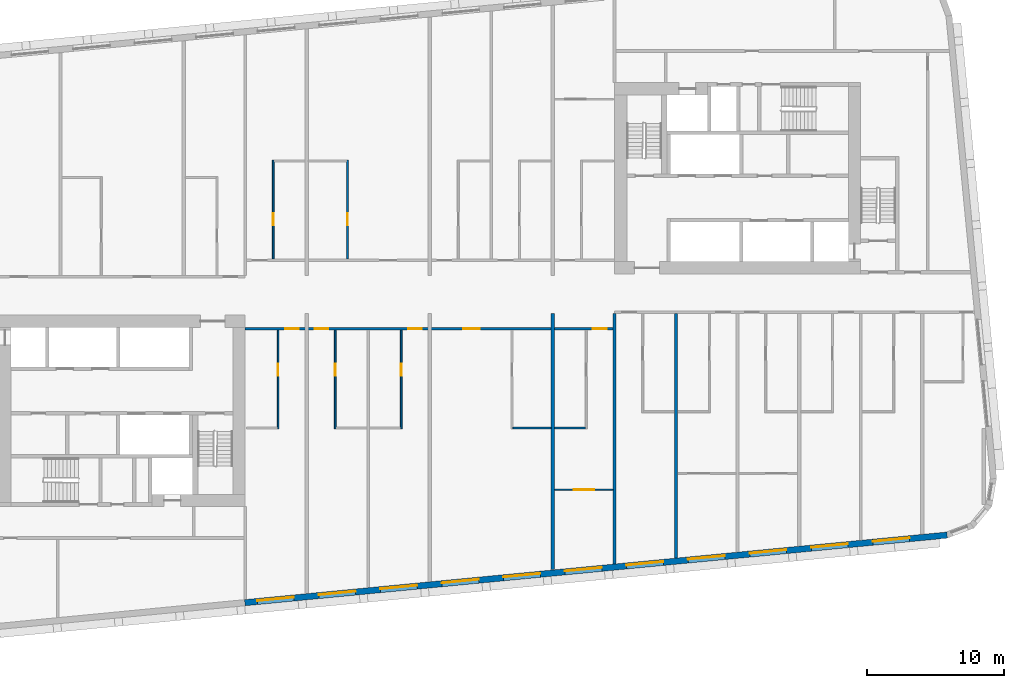
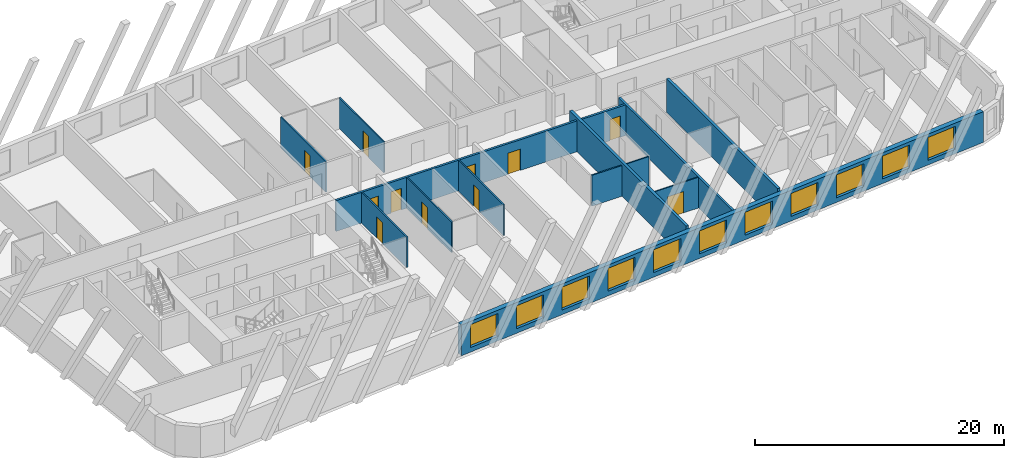
# One storey, part 4 of 13: 13 walls, 11 doors, 11 windows, 22 openings.
"""IFC4 building model written with IfcOpenShell, lengths in metres."""

import ifcopenshell
import ifcopenshell.guid

model = None  # the IFC model being written
_history = None  # IfcOwnerHistory: only IFC2X3 demands one
_inside = {}  # id of a spatial element -> (the spatial element, [elements in it])
_under = {}  # id of a project, library or spatial element -> (it, [spatial elements below it])
_declared = {}  # id of a project -> (the project, [libraries it declares])
_typed = {}  # id of a type object -> (the type object, [elements of that type])
_made_of = {}  # id of a material, layer set ... -> (it, [elements and type objects made of it])


def new_model(schema):
    """Start an empty IFC model of exactly this schema.

    Asked for "IFC4X3", IfcOpenShell would pick the latest addendum, in which some entities
    have other attributes; the version numbers below select the first issue.
    IFC2X3 requires an IfcOwnerHistory on every rooted entity: one is made here for all.
    """
    global model, _history
    if schema == "IFC4X3":
        model = ifcopenshell.file(schema_version=(4, 3, 0, 0))
    else:
        model = ifcopenshell.file(schema=schema)
    _inside.clear()
    _under.clear()
    _declared.clear()
    _typed.clear()
    _made_of.clear()
    _history = None
    if model.schema == "IFC2X3":
        org = make("IfcOrganization", Name="unknown")
        user = make(
            "IfcPersonAndOrganization",
            ThePerson=make("IfcPerson", FamilyName="unknown"),
            TheOrganization=org,
        )
        app = make(
            "IfcApplication",
            ApplicationDeveloper=org,
            Version="unknown",
            ApplicationFullName="unknown",
            ApplicationIdentifier="unknown",
        )
        _history = make(
            "IfcOwnerHistory",
            OwningUser=user,
            OwningApplication=app,
            ChangeAction="ADDED",
            CreationDate=0,
        )
    return model


def make(cls, **values):
    """One entity of the class cls with the attributes given. An attribute that is None is left unset."""
    return model.create_entity(
        cls, **{name: value for name, value in values.items() if value is not None}
    )


def rooted(cls, **values):
    """An entity with a GlobalId (a new one), such as an element, a storey or a relation."""
    return make(cls, GlobalId=ifcopenshell.guid.new(), OwnerHistory=_history, **values)


def si_unit(unit_type, name, prefix=None):
    """IfcSIUnit, for example si_unit("LENGTHUNIT", "METRE", prefix="MILLI")."""
    return make("IfcSIUnit", UnitType=unit_type, Prefix=prefix, Name=name)


def assignment(units):
    """IfcUnitAssignment: the units of a project."""
    return None if units is None else make("IfcUnitAssignment", Units=units)


def point(xyz):
    """IfcCartesianPoint."""
    return None if xyz is None else make("IfcCartesianPoint", Coordinates=xyz)


def direction(xyz):
    """IfcDirection."""
    return None if xyz is None else make("IfcDirection", DirectionRatios=xyz)


def frame(location, z_axis=None, x_axis=None):
    """IfcAxis2Placement3D, a coordinate frame: its origin and axes. An axis left out is left unset."""
    return make(
        "IfcAxis2Placement3D",
        Location=point(location),
        Axis=direction(z_axis),
        RefDirection=direction(x_axis),
    )


def frame_2d(location, x_axis=None):
    """IfcAxis2Placement2D, a coordinate frame in the plane: its origin and x axis."""
    return make(
        "IfcAxis2Placement2D", Location=point(location), RefDirection=direction(x_axis)
    )


def origin():
    """The frame at (0, 0, 0) with its axes left unset."""
    return frame((0.0, 0.0, 0.0))


def place(relative_to, where):
    """IfcLocalPlacement: puts the frame where relative to a parent placement (None: the world)."""
    return make(
        "IfcLocalPlacement", PlacementRelTo=relative_to, RelativePlacement=where
    )


def context(
    kind, dimensions, precision=None, world=None, true_north=None, identifier=None
):
    """IfcGeometricRepresentationContext, for example the 3D "Model" context."""
    return make(
        "IfcGeometricRepresentationContext",
        ContextIdentifier=identifier,
        ContextType=kind,
        CoordinateSpaceDimension=dimensions,
        Precision=precision,
        WorldCoordinateSystem=world,
        TrueNorth=true_north,
    )


def subcontext(parent, identifier, kind, view, scale=None):
    """IfcGeometricRepresentationSubContext, for example "Body" below "Model"."""
    return make(
        "IfcGeometricRepresentationSubContext",
        ContextIdentifier=identifier,
        ContextType=kind,
        ParentContext=parent,
        TargetScale=scale,
        TargetView=view,
    )


def project(units=None, contexts=None):
    """IfcProject with its units and contexts."""
    return rooted(
        "IfcProject",
        Name="project",
        RepresentationContexts=contexts,
        UnitsInContext=assignment(units),
    )


def spatial(cls, under=None, at=None, **own):
    """A site, building, storey or space (cls), placed at a placement, below another one or the project."""
    s = rooted(cls, ObjectPlacement=at, **own)
    if under is not None:
        _under.setdefault(under.id(), (under, []))[1].append(s)
    return s


def profile(cls, at=None, kind="AREA", **sizes):
    """A parametric profile (cls). Its sizes go by their IFC names, for example OverallWidth=200.0."""
    return make(cls, ProfileType=kind, Position=at, **sizes)


def rectangle(**sizes):
    """IfcRectangleProfileDef."""
    return profile("IfcRectangleProfileDef", **sizes)


def extrude(swept, where, along, depth):
    """IfcExtrudedAreaSolid: the profile swept, set in the frame where, extruded along a direction by depth."""
    return make(
        "IfcExtrudedAreaSolid",
        SweptArea=swept,
        Position=where,
        ExtrudedDirection=direction(along),
        Depth=depth,
    )


def shape(context_of_items, identifier, shape_type, items):
    """IfcShapeRepresentation: the items that make up one representation, for example the "Body"."""
    return make(
        "IfcShapeRepresentation",
        ContextOfItems=context_of_items,
        RepresentationIdentifier=identifier,
        RepresentationType=shape_type,
        Items=items,
    )


def material(Name=None, Category=None):
    """IfcMaterial."""
    return make("IfcMaterial", Name=Name, Category=Category)


def layer(
    of_material, thickness, ventilated=None, Name=None, Category=None, Priority=None
):
    """IfcMaterialLayer: one layer of a wall or slab, of a material (None: an air gap)."""
    return make(
        "IfcMaterialLayer",
        Material=of_material,
        LayerThickness=thickness,
        IsVentilated=ventilated,
        Name=Name,
        Category=Category,
        Priority=Priority,
    )


def layer_set(layers, Name=None):
    """IfcMaterialLayerSet."""
    return make("IfcMaterialLayerSet", MaterialLayers=layers, LayerSetName=Name)


def made_of(thing, what):
    """Note that an element or type object is made of a material, layer set ...; save() writes the relation."""
    if what is not None:
        _made_of.setdefault(what.id(), (what, []))[1].append(thing)
    return thing


def type_object(cls, material=None, **own):
    """A type object (cls), such as IfcWallType, which elements share."""
    return made_of(rooted(cls, **own), material)


def element(
    cls,
    number,
    at=None,
    inside=None,
    cuts=None,
    type_object=None,
    material=None,
    context=None,
    identifier="Body",
    shape_type=None,
    held_by="IfcProductDefinitionShape",
    body=None,
    shapes=None,
    **own,
):
    """One element of the class cls, such as IfcWall. Its Tag is "e" and its number.

    at: its placement. inside: the storey or other place that contains it. cuts: it is an
    opening in that element (IfcRelVoidsElement). A single representation is given by context,
    identifier, shape_type and body (its items); several are given by shapes. held_by: the class
    of the entity that holds the representations. save() writes the other relations.
    """
    e = rooted(cls, Tag="e%d" % number, ObjectPlacement=at, **own)
    if body is not None:
        shapes = [shape(context, identifier, shape_type, body)]
    if shapes is not None:
        e.Representation = make(held_by, Representations=shapes)
    if inside is not None:
        _inside.setdefault(inside.id(), (inside, []))[1].append(e)
    if cuts is not None:
        rooted(
            "IfcRelVoidsElement", RelatingBuildingElement=cuts, RelatedOpeningElement=e
        )
    if type_object is not None:
        _typed.setdefault(type_object.id(), (type_object, []))[1].append(e)
    return made_of(e, material)


def fill(opening, filler):
    """IfcRelFillsElement: the door or window that sits in an opening."""
    return rooted(
        "IfcRelFillsElement",
        RelatingOpeningElement=opening,
        RelatedBuildingElement=filler,
    )


def aggregate(whole, parts):
    """IfcRelAggregates: a whole, such as a stair, and the parts it consists of."""
    return rooted("IfcRelAggregates", RelatingObject=whole, RelatedObjects=parts)


def save(model, path):
    """Write the relations noted so far, then the file.

    IfcRelAggregates (storeys below a building ...), IfcRelContainedInSpatialStructure (elements
    in a storey), IfcRelDefinesByType, IfcRelAssociatesMaterial and IfcRelDeclares: one each for
    every whole, place, type object, material and project.
    """
    for whole, parts in _under.values():
        aggregate(whole, parts)
    for where, things in _inside.values():
        rooted(
            "IfcRelContainedInSpatialStructure",
            RelatedElements=things,
            RelatingStructure=where,
        )
    for kind, things in _typed.values():
        rooted("IfcRelDefinesByType", RelatedObjects=things, RelatingType=kind)
    for what, things in _made_of.values():
        rooted("IfcRelAssociatesMaterial", RelatedObjects=things, RelatingMaterial=what)
    for by, libraries in _declared.values():
        rooted("IfcRelDeclares", RelatingContext=by, RelatedDefinitions=libraries)
    model.write(path)


model = new_model("IFC4")

# Units and contexts
model_context = context("Model", 3, precision=1e-05, world=origin(), true_north=direction((0.0, 1.0)))
body_context = subcontext(model_context, "Body", "Model", "MODEL_VIEW")
ifc_project = project(units=[si_unit("LENGTHUNIT", "METRE"), si_unit("AREAUNIT", "SQUARE_METRE"), si_unit("VOLUMEUNIT", "CUBIC_METRE"), si_unit("PLANEANGLEUNIT", "RADIAN"), si_unit("MASSUNIT", "GRAM", prefix="KILO")], contexts=[model_context])

# Site, building, storey
site_placement = place(None, origin())
site = spatial("IfcSite", under=ifc_project, at=site_placement, CompositionType="ELEMENT")
building_placement = place(site_placement, origin())
building = spatial("IfcBuilding", under=site, at=building_placement, Name="Kajstack Hotel Tower", CompositionType="ELEMENT")
storey_placement = place(building_placement, frame((0.0, 0.0, 196.60009765625)))
storey = spatial("IfcBuildingStorey", under=building, at=storey_placement, Name="L47", CompositionType="ELEMENT", Elevation=196.60009765625)

# Wall, openings, doors
ifc_material_1 = material(Name="Gypsum board on steel studs, mineral wool", Category="steel")
ifc_layer_1 = layer(ifc_material_1, 0.199951171875)
ifc_layer_set_1 = layer_set([ifc_layer_1], Name="Corridor wall 200")
wall_type_1 = type_object("IfcWallType", Name="Corridor wall 200", PredefinedType="PARTITIONING", material=ifc_layer_set_1)
wall_1_placement = place(storey_placement, frame((-13.5, -2.5, 0.0), z_axis=(0.0, 0.0, 1.0), x_axis=(1.0, 0.0, 0.0)))
wall_1 = element("IfcWall", 1, at=wall_1_placement, inside=storey, type_object=wall_type_1, Name="G-wall-L47-026", PredefinedType="PARTITIONING", context=body_context, shape_type="SweptSolid", body=[
    extrude(rectangle(XDim=27.0, YDim=0.199951171875, at=frame_2d((13.5, 0.0))), origin(), (0.0, 0.0, 1.0), 3.02001953125),
])
opening_1_placement = place(wall_1_placement, frame((2.925048828125, 0.0, 0.0)))
opening_1 = element("IfcOpeningElement", 2, at=opening_1_placement, cuts=wall_1, Name="Opening 47020", PredefinedType="OPENING", context=body_context, shape_type="SweptSolid", body=[
    extrude(rectangle(XDim=1.0, YDim=2.10009765625, at=frame_2d((0.5, 1.050048828125))), frame((0.0, 0.10986328125, 0.0), z_axis=(0.0, -1.0, 0.0), x_axis=(1.0, 0.0, 0.0)), (0.0, 0.0, 1.0), 0.219970703125),
])
opening_2_placement = place(wall_1_placement, frame((5.074951171875, 0.0, 0.0)))
opening_2 = element("IfcOpeningElement", 3, at=opening_2_placement, cuts=wall_1, Name="Opening 47022", PredefinedType="OPENING", context=body_context, shape_type="SweptSolid", body=[
    extrude(rectangle(XDim=1.0, YDim=2.10009765625, at=frame_2d((0.5, 1.050048828125))), frame((0.0, 0.10986328125, 0.0), z_axis=(0.0, -1.0, 0.0), x_axis=(1.0, 0.0, 0.0)), (0.0, 0.0, 1.0), 0.219970703125),
])
opening_3_placement = place(wall_1_placement, frame((11.925048828125, 0.0, 0.0)))
opening_3 = element("IfcOpeningElement", 4, at=opening_3_placement, cuts=wall_1, Name="Opening 47024", PredefinedType="OPENING", context=body_context, shape_type="SweptSolid", body=[
    extrude(rectangle(XDim=1.0, YDim=2.10009765625, at=frame_2d((0.5, 1.050048828125))), frame((0.0, 0.10986328125, 0.0), z_axis=(0.0, -1.0, 0.0), x_axis=(1.0, 0.0, 0.0)), (0.0, 0.0, 1.0), 0.219970703125),
])
opening_4_placement = place(wall_1_placement, frame((15.93798828125, 0.0, 0.0)))
opening_4 = element("IfcOpeningElement", 5, at=opening_4_placement, cuts=wall_1, Name="Opening 47026", PredefinedType="OPENING", context=body_context, shape_type="SweptSolid", body=[
    extrude(rectangle(XDim=1.199951171875, YDim=2.10009765625, at=frame_2d((0.60009765625, 1.050048828125))), frame((0.0, 0.10986328125, 0.0), z_axis=(0.0, -1.0, 0.0), x_axis=(1.0, 0.0, 0.0)), (0.0, 0.0, 1.0), 0.219970703125),
])
opening_5_placement = place(wall_1_placement, frame((25.425048828125, 0.0, 0.0)))
opening_5 = element("IfcOpeningElement", 6, at=opening_5_placement, cuts=wall_1, Name="Opening 47028", PredefinedType="OPENING", context=body_context, shape_type="SweptSolid", body=[
    extrude(rectangle(XDim=1.0, YDim=2.10009765625, at=frame_2d((0.5, 1.050048828125))), frame((0.0, 0.10986328125, 0.0), z_axis=(0.0, -1.0, 0.0), x_axis=(1.0, 0.0, 0.0)), (0.0, 0.0, 1.0), 0.219970703125),
])
ifc_material_2 = material(Name="Oak veneer on timber core, fire-rated leaf", Category="wood")
door_type_1 = type_object("IfcDoorType", Name="Flat entrance door 1000", OperationType="SINGLE_SWING_LEFT", PredefinedType="DOOR", material=ifc_material_2)
door_1_placement = place(opening_1_placement, origin())
door_1 = element("IfcDoor", 7, at=door_1_placement, inside=storey, type_object=door_type_1, Name="G-door-L47-20", OperationType="SINGLE_SWING_RIGHT", OverallHeight=2.10009765625, OverallWidth=1.0, PredefinedType="DOOR", context=body_context, shape_type="SweptSolid", body=[
    extrude(rectangle(XDim=1.0, YDim=2.10009765625, at=frame_2d((0.5, 1.050048828125))), frame((0.0, 0.02490234375, 0.0), z_axis=(0.0, -1.0, 0.0), x_axis=(1.0, 0.0, 0.0)), (0.0, 0.0, 1.0), 0.050048828125),
])
fill(opening_1, door_1)
door_2_placement = place(opening_2_placement, origin())
door_2 = element("IfcDoor", 8, at=door_2_placement, inside=storey, type_object=door_type_1, Name="G-door-L47-22", OperationType="SINGLE_SWING_RIGHT", OverallHeight=2.10009765625, OverallWidth=1.0, PredefinedType="DOOR", context=body_context, shape_type="SweptSolid", body=[
    extrude(rectangle(XDim=1.0, YDim=2.10009765625, at=frame_2d((0.5, 1.050048828125))), frame((0.0, 0.02490234375, 0.0), z_axis=(0.0, -1.0, 0.0), x_axis=(1.0, 0.0, 0.0)), (0.0, 0.0, 1.0), 0.050048828125),
])
fill(opening_2, door_2)
door_3_placement = place(opening_3_placement, origin())
door_3 = element("IfcDoor", 9, at=door_3_placement, inside=storey, type_object=door_type_1, Name="G-door-L47-24", OperationType="SINGLE_SWING_LEFT", OverallHeight=2.10009765625, OverallWidth=1.0, PredefinedType="DOOR", context=body_context, shape_type="SweptSolid", body=[
    extrude(rectangle(XDim=1.0, YDim=2.10009765625, at=frame_2d((0.5, 1.050048828125))), frame((0.0, 0.02490234375, 0.0), z_axis=(0.0, -1.0, 0.0), x_axis=(1.0, 0.0, 0.0)), (0.0, 0.0, 1.0), 0.050048828125),
])
fill(opening_3, door_3)
door_4_placement = place(opening_5_placement, origin())
door_4 = element("IfcDoor", 10, at=door_4_placement, inside=storey, type_object=door_type_1, Name="G-door-L47-28", OperationType="SINGLE_SWING_LEFT", OverallHeight=2.10009765625, OverallWidth=1.0, PredefinedType="DOOR", context=body_context, shape_type="SweptSolid", body=[
    extrude(rectangle(XDim=1.0, YDim=2.10009765625, at=frame_2d((0.5, 1.050048828125))), frame((0.0, 0.02490234375, 0.0), z_axis=(0.0, -1.0, 0.0), x_axis=(1.0, 0.0, 0.0)), (0.0, 0.0, 1.0), 0.050048828125),
])
fill(opening_5, door_4)
door_type_2 = type_object("IfcDoorType", Name="Flat entrance door 1200", OperationType="SINGLE_SWING_LEFT", PredefinedType="DOOR", material=ifc_material_2)
door_5_placement = place(opening_4_placement, origin())
door_5 = element("IfcDoor", 11, at=door_5_placement, inside=storey, type_object=door_type_2, Name="G-door-L47-26", OperationType="SINGLE_SWING_LEFT", OverallHeight=2.10009765625, OverallWidth=1.199951171875, PredefinedType="DOOR", context=body_context, shape_type="SweptSolid", body=[
    extrude(rectangle(XDim=1.199951171875, YDim=2.10009765625, at=frame_2d((0.60009765625, 1.050048828125))), frame((0.0, 0.02490234375, 0.0), z_axis=(0.0, -1.0, 0.0), x_axis=(1.0, 0.0, 0.0)), (0.0, 0.0, 1.0), 0.050048828125),
])
fill(opening_4, door_5)

# Wall
ifc_material_3 = material(Name="Twin-frame gypsum board on steel studs, mineral wool", Category="steel")
ifc_layer_2 = layer(ifc_material_3, 0.199951171875)
ifc_layer_set_2 = layer_set([ifc_layer_2], Name="Demising wall 200")
wall_type_2 = type_object("IfcWallType", Name="Demising wall 200", PredefinedType="PARTITIONING", material=ifc_layer_set_2)
wall_2_placement = place(storey_placement, frame((13.5, -19.700927734375, 0.0), z_axis=(0.0, 0.0, 1.0), x_axis=(0.0, 1.0, 0.0)))
element("IfcWall", 12, at=wall_2_placement, inside=storey, type_object=wall_type_2, Name="G-wall-L47-037", PredefinedType="PARTITIONING", context=body_context, shape_type="SweptSolid", body=[
    extrude(rectangle(XDim=18.301025390625, YDim=0.199951171875, at=frame_2d((9.150390625, 0.0))), origin(), (0.0, 0.0, 1.0), 3.02001953125),
])

# Wall, openings, windows
ifc_material_4 = material(Name="Terracotta-faced brick masonry", Category="masonry")
ifc_layer_3 = layer(ifc_material_4, 0.449951171875)
ifc_layer_set_3 = layer_set([ifc_layer_3], Name="EW-TERRA")
wall_type_3 = type_object("IfcWallType", Name="EW-TERRA", PredefinedType="SOLIDWALL", material=ifc_layer_set_3)
wall_3_placement = place(storey_placement, frame((-13.521484375, -22.528564453125, 0.0), z_axis=(0.0, 0.0, 1.0), x_axis=(0.995396436651, 0.095843277819, 0.0)))
wall_3 = element("IfcWall", 13, at=wall_3_placement, inside=storey, type_object=wall_type_3, Name="E-wall-L47-04-02", PredefinedType="SOLIDWALL", context=body_context, shape_type="SweptSolid", body=[
    extrude(rectangle(XDim=51.57763671875, YDim=0.449951171875, at=frame_2d((25.788818359375, 0.0))), origin(), (0.0, 0.0, 1.0), 3.02001953125),
])
opening_6_placement = place(wall_3_placement, frame((0.910400390625, 0.0, 0.449951171875)))
opening_6 = element("IfcOpeningElement", 14, at=opening_6_placement, cuts=wall_3, Name="Opening W1", PredefinedType="OPENING", context=body_context, shape_type="SweptSolid", body=[
    extrude(rectangle(XDim=2.699951171875, YDim=2.25, at=frame_2d((1.35009765625, 1.125))), frame((0.0, 0.23486328125, 0.0), z_axis=(0.0, -1.0, 0.0), x_axis=(1.0, 0.0, 0.0)), (0.0, 0.0, 1.0), 0.469970703125),
])
opening_7_placement = place(wall_3_placement, frame((5.431396484375, 0.0, 0.449951171875)))
opening_7 = element("IfcOpeningElement", 15, at=opening_7_placement, cuts=wall_3, Name="Opening W1", PredefinedType="OPENING", context=body_context, shape_type="SweptSolid", body=[
    extrude(rectangle(XDim=2.699951171875, YDim=2.25, at=frame_2d((1.35009765625, 1.125))), frame((0.0, 0.23486328125, 0.0), z_axis=(0.0, -1.0, 0.0), x_axis=(1.0, 0.0, 0.0)), (0.0, 0.0, 1.0), 0.469970703125),
])
opening_8_placement = place(wall_3_placement, frame((9.9521484375, 0.0, 0.449951171875)))
opening_8 = element("IfcOpeningElement", 16, at=opening_8_placement, cuts=wall_3, Name="Opening W1", PredefinedType="OPENING", context=body_context, shape_type="SweptSolid", body=[
    extrude(rectangle(XDim=2.699951171875, YDim=2.25, at=frame_2d((1.35009765625, 1.125))), frame((0.0, 0.23486328125, 0.0), z_axis=(0.0, -1.0, 0.0), x_axis=(1.0, 0.0, 0.0)), (0.0, 0.0, 1.0), 0.469970703125),
])
opening_9_placement = place(wall_3_placement, frame((14.472900390625, 0.0, 0.449951171875)))
opening_9 = element("IfcOpeningElement", 17, at=opening_9_placement, cuts=wall_3, Name="Opening W1", PredefinedType="OPENING", context=body_context, shape_type="SweptSolid", body=[
    extrude(rectangle(XDim=2.699951171875, YDim=2.25, at=frame_2d((1.35009765625, 1.125))), frame((0.0, 0.23486328125, 0.0), z_axis=(0.0, -1.0, 0.0), x_axis=(1.0, 0.0, 0.0)), (0.0, 0.0, 1.0), 0.469970703125),
])
opening_10_placement = place(wall_3_placement, frame((18.99365234375, 0.0, 0.449951171875)))
opening_10 = element("IfcOpeningElement", 18, at=opening_10_placement, cuts=wall_3, Name="Opening W1", PredefinedType="OPENING", context=body_context, shape_type="SweptSolid", body=[
    extrude(rectangle(XDim=2.699951171875, YDim=2.25, at=frame_2d((1.35009765625, 1.125))), frame((0.0, 0.23486328125, 0.0), z_axis=(0.0, -1.0, 0.0), x_axis=(1.0, 0.0, 0.0)), (0.0, 0.0, 1.0), 0.469970703125),
])
opening_11_placement = place(wall_3_placement, frame((23.514404296875, 0.0, 0.449951171875)))
opening_11 = element("IfcOpeningElement", 19, at=opening_11_placement, cuts=wall_3, Name="Opening W1", PredefinedType="OPENING", context=body_context, shape_type="SweptSolid", body=[
    extrude(rectangle(XDim=2.699951171875, YDim=2.25, at=frame_2d((1.35009765625, 1.125))), frame((0.0, 0.23486328125, 0.0), z_axis=(0.0, -1.0, 0.0), x_axis=(1.0, 0.0, 0.0)), (0.0, 0.0, 1.0), 0.469970703125),
])
opening_12_placement = place(wall_3_placement, frame((28.035400390625, 0.0, 0.449951171875)))
opening_12 = element("IfcOpeningElement", 20, at=opening_12_placement, cuts=wall_3, Name="Opening W1", PredefinedType="OPENING", context=body_context, shape_type="SweptSolid", body=[
    extrude(rectangle(XDim=2.699951171875, YDim=2.25, at=frame_2d((1.35009765625, 1.125))), frame((0.0, 0.23486328125, 0.0), z_axis=(0.0, -1.0, 0.0), x_axis=(1.0, 0.0, 0.0)), (0.0, 0.0, 1.0), 0.469970703125),
])
opening_13_placement = place(wall_3_placement, frame((32.55615234375, 0.0, 0.449951171875)))
opening_13 = element("IfcOpeningElement", 21, at=opening_13_placement, cuts=wall_3, Name="Opening W1", PredefinedType="OPENING", context=body_context, shape_type="SweptSolid", body=[
    extrude(rectangle(XDim=2.699951171875, YDim=2.25, at=frame_2d((1.35009765625, 1.125))), frame((0.0, 0.23486328125, 0.0), z_axis=(0.0, -1.0, 0.0), x_axis=(1.0, 0.0, 0.0)), (0.0, 0.0, 1.0), 0.469970703125),
])
opening_14_placement = place(wall_3_placement, frame((37.076904296875, 0.0, 0.449951171875)))
opening_14 = element("IfcOpeningElement", 22, at=opening_14_placement, cuts=wall_3, Name="Opening W1", PredefinedType="OPENING", context=body_context, shape_type="SweptSolid", body=[
    extrude(rectangle(XDim=2.699951171875, YDim=2.25, at=frame_2d((1.35009765625, 1.125))), frame((0.0, 0.23486328125, 0.0), z_axis=(0.0, -1.0, 0.0), x_axis=(1.0, 0.0, 0.0)), (0.0, 0.0, 1.0), 0.469970703125),
])
opening_15_placement = place(wall_3_placement, frame((41.597900390625, 0.0, 0.449951171875)))
opening_15 = element("IfcOpeningElement", 23, at=opening_15_placement, cuts=wall_3, Name="Opening W1", PredefinedType="OPENING", context=body_context, shape_type="SweptSolid", body=[
    extrude(rectangle(XDim=2.699951171875, YDim=2.25, at=frame_2d((1.35009765625, 1.125))), frame((0.0, 0.23486328125, 0.0), z_axis=(0.0, -1.0, 0.0), x_axis=(1.0, 0.0, 0.0)), (0.0, 0.0, 1.0), 0.469970703125),
])
opening_16_placement = place(wall_3_placement, frame((46.11865234375, 0.0, 0.449951171875)))
opening_16 = element("IfcOpeningElement", 24, at=opening_16_placement, cuts=wall_3, Name="Opening W1", PredefinedType="OPENING", context=body_context, shape_type="SweptSolid", body=[
    extrude(rectangle(XDim=2.699951171875, YDim=2.25, at=frame_2d((1.35009765625, 1.125))), frame((0.0, 0.23486328125, 0.0), z_axis=(0.0, -1.0, 0.0), x_axis=(1.0, 0.0, 0.0)), (0.0, 0.0, 1.0), 0.469970703125),
])
ifc_material_5 = material(Name="Timber-aluminium window, triple glazed", Category="wood")
window_type = type_object("IfcWindowType", Name="WG1", PartitioningType="SINGLE_PANEL", PredefinedType="WINDOW", material=ifc_material_5)
window_1_placement = place(opening_6_placement, origin())
window_1 = element("IfcWindow", 25, at=window_1_placement, inside=storey, type_object=window_type, Name="Window W1 L47-04", OverallHeight=2.25, OverallWidth=2.699951171875, PartitioningType="SINGLE_PANEL", PredefinedType="WINDOW", context=body_context, shape_type="SweptSolid", body=[
    extrude(rectangle(XDim=2.699951171875, YDim=2.25, at=frame_2d((1.35009765625, 1.125))), frame((0.0, 0.090087890625, 0.0), z_axis=(0.0, -1.0, 0.0), x_axis=(1.0, 0.0, 0.0)), (0.0, 0.0, 1.0), 0.06005859375),
])
fill(opening_6, window_1)
window_2_placement = place(opening_7_placement, origin())
window_2 = element("IfcWindow", 26, at=window_2_placement, inside=storey, type_object=window_type, Name="Window W1 L47-04", OverallHeight=2.25, OverallWidth=2.699951171875, PartitioningType="SINGLE_PANEL", PredefinedType="WINDOW", context=body_context, shape_type="SweptSolid", body=[
    extrude(rectangle(XDim=2.699951171875, YDim=2.25, at=frame_2d((1.35009765625, 1.125))), frame((0.0, 0.090087890625, 0.0), z_axis=(0.0, -1.0, 0.0), x_axis=(1.0, 0.0, 0.0)), (0.0, 0.0, 1.0), 0.06005859375),
])
fill(opening_7, window_2)
window_3_placement = place(opening_8_placement, origin())
window_3 = element("IfcWindow", 27, at=window_3_placement, inside=storey, type_object=window_type, Name="Window W1 L47-04", OverallHeight=2.25, OverallWidth=2.699951171875, PartitioningType="SINGLE_PANEL", PredefinedType="WINDOW", context=body_context, shape_type="SweptSolid", body=[
    extrude(rectangle(XDim=2.699951171875, YDim=2.25, at=frame_2d((1.35009765625, 1.125))), frame((0.0, 0.090087890625, 0.0), z_axis=(0.0, -1.0, 0.0), x_axis=(1.0, 0.0, 0.0)), (0.0, 0.0, 1.0), 0.06005859375),
])
fill(opening_8, window_3)
window_4_placement = place(opening_9_placement, origin())
window_4 = element("IfcWindow", 28, at=window_4_placement, inside=storey, type_object=window_type, Name="Window W1 L47-04", OverallHeight=2.25, OverallWidth=2.699951171875, PartitioningType="SINGLE_PANEL", PredefinedType="WINDOW", context=body_context, shape_type="SweptSolid", body=[
    extrude(rectangle(XDim=2.699951171875, YDim=2.25, at=frame_2d((1.35009765625, 1.125))), frame((0.0, 0.090087890625, 0.0), z_axis=(0.0, -1.0, 0.0), x_axis=(1.0, 0.0, 0.0)), (0.0, 0.0, 1.0), 0.06005859375),
])
fill(opening_9, window_4)
window_5_placement = place(opening_10_placement, origin())
window_5 = element("IfcWindow", 29, at=window_5_placement, inside=storey, type_object=window_type, Name="Window W1 L47-04", OverallHeight=2.25, OverallWidth=2.699951171875, PartitioningType="SINGLE_PANEL", PredefinedType="WINDOW", context=body_context, shape_type="SweptSolid", body=[
    extrude(rectangle(XDim=2.699951171875, YDim=2.25, at=frame_2d((1.35009765625, 1.125))), frame((0.0, 0.090087890625, 0.0), z_axis=(0.0, -1.0, 0.0), x_axis=(1.0, 0.0, 0.0)), (0.0, 0.0, 1.0), 0.06005859375),
])
fill(opening_10, window_5)
window_6_placement = place(opening_11_placement, origin())
window_6 = element("IfcWindow", 30, at=window_6_placement, inside=storey, type_object=window_type, Name="Window W1 L47-04", OverallHeight=2.25, OverallWidth=2.699951171875, PartitioningType="SINGLE_PANEL", PredefinedType="WINDOW", context=body_context, shape_type="SweptSolid", body=[
    extrude(rectangle(XDim=2.699951171875, YDim=2.25, at=frame_2d((1.35009765625, 1.125))), frame((0.0, 0.090087890625, 0.0), z_axis=(0.0, -1.0, 0.0), x_axis=(1.0, 0.0, 0.0)), (0.0, 0.0, 1.0), 0.06005859375),
])
fill(opening_11, window_6)
window_7_placement = place(opening_12_placement, origin())
window_7 = element("IfcWindow", 31, at=window_7_placement, inside=storey, type_object=window_type, Name="Window W1 L47-04", OverallHeight=2.25, OverallWidth=2.699951171875, PartitioningType="SINGLE_PANEL", PredefinedType="WINDOW", context=body_context, shape_type="SweptSolid", body=[
    extrude(rectangle(XDim=2.699951171875, YDim=2.25, at=frame_2d((1.35009765625, 1.125))), frame((0.0, 0.090087890625, 0.0), z_axis=(0.0, -1.0, 0.0), x_axis=(1.0, 0.0, 0.0)), (0.0, 0.0, 1.0), 0.06005859375),
])
fill(opening_12, window_7)
window_8_placement = place(opening_13_placement, origin())
window_8 = element("IfcWindow", 32, at=window_8_placement, inside=storey, type_object=window_type, Name="Window W1 L47-04", OverallHeight=2.25, OverallWidth=2.699951171875, PartitioningType="SINGLE_PANEL", PredefinedType="WINDOW", context=body_context, shape_type="SweptSolid", body=[
    extrude(rectangle(XDim=2.699951171875, YDim=2.25, at=frame_2d((1.35009765625, 1.125))), frame((0.0, 0.090087890625, 0.0), z_axis=(0.0, -1.0, 0.0), x_axis=(1.0, 0.0, 0.0)), (0.0, 0.0, 1.0), 0.06005859375),
])
fill(opening_13, window_8)
window_9_placement = place(opening_14_placement, origin())
window_9 = element("IfcWindow", 33, at=window_9_placement, inside=storey, type_object=window_type, Name="Window W1 L47-04", OverallHeight=2.25, OverallWidth=2.699951171875, PartitioningType="SINGLE_PANEL", PredefinedType="WINDOW", context=body_context, shape_type="SweptSolid", body=[
    extrude(rectangle(XDim=2.699951171875, YDim=2.25, at=frame_2d((1.35009765625, 1.125))), frame((0.0, 0.090087890625, 0.0), z_axis=(0.0, -1.0, 0.0), x_axis=(1.0, 0.0, 0.0)), (0.0, 0.0, 1.0), 0.06005859375),
])
fill(opening_14, window_9)
window_10_placement = place(opening_15_placement, origin())
window_10 = element("IfcWindow", 34, at=window_10_placement, inside=storey, type_object=window_type, Name="Window W1 L47-04", OverallHeight=2.25, OverallWidth=2.699951171875, PartitioningType="SINGLE_PANEL", PredefinedType="WINDOW", context=body_context, shape_type="SweptSolid", body=[
    extrude(rectangle(XDim=2.699951171875, YDim=2.25, at=frame_2d((1.35009765625, 1.125))), frame((0.0, 0.090087890625, 0.0), z_axis=(0.0, -1.0, 0.0), x_axis=(1.0, 0.0, 0.0)), (0.0, 0.0, 1.0), 0.06005859375),
])
fill(opening_15, window_10)
window_11_placement = place(opening_16_placement, origin())
window_11 = element("IfcWindow", 35, at=window_11_placement, inside=storey, type_object=window_type, Name="Window W1 L47-04", OverallHeight=2.25, OverallWidth=2.699951171875, PartitioningType="SINGLE_PANEL", PredefinedType="WINDOW", context=body_context, shape_type="SweptSolid", body=[
    extrude(rectangle(XDim=2.699951171875, YDim=2.25, at=frame_2d((1.35009765625, 1.125))), frame((0.0, 0.090087890625, 0.0), z_axis=(0.0, -1.0, 0.0), x_axis=(1.0, 0.0, 0.0)), (0.0, 0.0, 1.0), 0.06005859375),
])
fill(opening_16, window_11)

# Wall, opening, door
ifc_material_6 = material(Name="Gypsum board and tiled backer on steel studs", Category="steel")
ifc_layer_4 = layer(ifc_material_6, 0.125)
ifc_layer_set_4 = layer_set([ifc_layer_4], Name="En-suite wall 125")
wall_type_4 = type_object("IfcWallType", Name="En-suite wall 125", PredefinedType="PARTITIONING", material=ifc_layer_set_4)
wall_4_placement = place(storey_placement, frame((-11.43798828125, 2.60009765625, 0.0), z_axis=(0.0, 0.0, 1.0), x_axis=(0.0, 1.0, 0.0)))
wall_4 = element("IfcWall", 36, at=wall_4_placement, inside=storey, type_object=wall_type_4, Name="G-wall-L47-014", PredefinedType="PARTITIONING", context=body_context, shape_type="SweptSolid", body=[
    extrude(rectangle(XDim=7.224853515625, YDim=0.125, at=frame_2d((3.6123046875, 0.0))), origin(), (0.0, 0.0, 1.0), 3.02001953125),
])
opening_17_placement = place(wall_4_placement, frame((2.449951171875, 0.0, 0.0)))
opening_17 = element("IfcOpeningElement", 37, at=opening_17_placement, cuts=wall_4, Name="Opening 47010", PredefinedType="OPENING", context=body_context, shape_type="SweptSolid", body=[
    extrude(rectangle(XDim=0.89990234375, YDim=2.10009765625, at=frame_2d((0.449951171875, 1.050048828125))), frame((0.0, 0.072509765625, 0.0), z_axis=(0.0, -1.0, 0.0), x_axis=(1.0, 0.0, 0.0)), (0.0, 0.0, 1.0), 0.14501953125),
])
ifc_material_7 = material(Name="Painted timber door leaf", Category="wood")
door_type_3 = type_object("IfcDoorType", Name="Room door 900", OperationType="SINGLE_SWING_LEFT", PredefinedType="DOOR", material=ifc_material_7)
door_6_placement = place(opening_17_placement, origin())
door_6 = element("IfcDoor", 38, at=door_6_placement, inside=storey, type_object=door_type_3, Name="G-door-L47-10", OperationType="SINGLE_SWING_RIGHT", OverallHeight=2.10009765625, OverallWidth=0.89990234375, PredefinedType="DOOR", context=body_context, shape_type="SweptSolid", body=[
    extrude(rectangle(XDim=0.89990234375, YDim=2.10009765625, at=frame_2d((0.449951171875, 1.050048828125))), frame((0.0, 0.02490234375, 0.0), z_axis=(0.0, -1.0, 0.0), x_axis=(1.0, 0.0, 0.0)), (0.0, 0.0, 1.0), 0.050048828125),
])
fill(opening_17, door_6)

wall_5_placement = place(storey_placement, frame((-6.012939453125, 2.60009765625, 0.0), z_axis=(0.0, 0.0, 1.0), x_axis=(0.0, 1.0, 0.0)))
wall_5 = element("IfcWall", 39, at=wall_5_placement, inside=storey, type_object=wall_type_4, Name="G-wall-L47-016", PredefinedType="PARTITIONING", context=body_context, shape_type="SweptSolid", body=[
    extrude(rectangle(XDim=7.224853515625, YDim=0.125, at=frame_2d((3.6123046875, 0.0))), origin(), (0.0, 0.0, 1.0), 3.02001953125),
])
opening_18_placement = place(wall_5_placement, frame((2.449951171875, 0.0, 0.0)))
opening_18 = element("IfcOpeningElement", 40, at=opening_18_placement, cuts=wall_5, Name="Opening 47012", PredefinedType="OPENING", context=body_context, shape_type="SweptSolid", body=[
    extrude(rectangle(XDim=0.89990234375, YDim=2.10009765625, at=frame_2d((0.449951171875, 1.050048828125))), frame((0.0, 0.072509765625, 0.0), z_axis=(0.0, -1.0, 0.0), x_axis=(1.0, 0.0, 0.0)), (0.0, 0.0, 1.0), 0.14501953125),
])
door_7_placement = place(opening_18_placement, origin())
door_7 = element("IfcDoor", 41, at=door_7_placement, inside=storey, type_object=door_type_3, Name="G-door-L47-12", OperationType="SINGLE_SWING_RIGHT", OverallHeight=2.10009765625, OverallWidth=0.89990234375, PredefinedType="DOOR", context=body_context, shape_type="SweptSolid", body=[
    extrude(rectangle(XDim=0.89990234375, YDim=2.10009765625, at=frame_2d((0.449951171875, 1.050048828125))), frame((0.0, 0.02490234375, 0.0), z_axis=(0.0, -1.0, 0.0), x_axis=(1.0, 0.0, 0.0)), (0.0, 0.0, 1.0), 0.050048828125),
])
fill(opening_18, door_7)

wall_6_placement = place(storey_placement, frame((-11.087890625, -9.824951171875, 0.0), z_axis=(0.0, 0.0, 1.0), x_axis=(0.0, 1.0, 0.0)))
wall_6 = element("IfcWall", 42, at=wall_6_placement, inside=storey, type_object=wall_type_4, Name="G-wall-L47-028", PredefinedType="PARTITIONING", context=body_context, shape_type="SweptSolid", body=[
    extrude(rectangle(XDim=7.224853515625, YDim=0.125, at=frame_2d((3.6123046875, 0.0))), origin(), (0.0, 0.0, 1.0), 3.02001953125),
])
opening_19_placement = place(wall_6_placement, frame((3.875, 0.0, 0.0)))
opening_19 = element("IfcOpeningElement", 43, at=opening_19_placement, cuts=wall_6, Name="Opening 47021", PredefinedType="OPENING", context=body_context, shape_type="SweptSolid", body=[
    extrude(rectangle(XDim=0.89990234375, YDim=2.10009765625, at=frame_2d((0.449951171875, 1.050048828125))), frame((0.0, 0.072509765625, 0.0), z_axis=(0.0, -1.0, 0.0), x_axis=(1.0, 0.0, 0.0)), (0.0, 0.0, 1.0), 0.14501953125),
])
door_8_placement = place(opening_19_placement, origin())
door_8 = element("IfcDoor", 44, at=door_8_placement, inside=storey, type_object=door_type_3, Name="G-door-L47-21", OperationType="SINGLE_SWING_RIGHT", OverallHeight=2.10009765625, OverallWidth=0.89990234375, PredefinedType="DOOR", context=body_context, shape_type="SweptSolid", body=[
    extrude(rectangle(XDim=0.89990234375, YDim=2.10009765625, at=frame_2d((0.449951171875, 1.050048828125))), frame((0.0, 0.02490234375, 0.0), z_axis=(0.0, -1.0, 0.0), x_axis=(1.0, 0.0, 0.0)), (0.0, 0.0, 1.0), 0.050048828125),
])
fill(opening_19, door_8)

wall_7_placement = place(storey_placement, frame((-6.912109375, -9.824951171875, 0.0), z_axis=(0.0, 0.0, 1.0), x_axis=(0.0, 1.0, 0.0)))
wall_7 = element("IfcWall", 45, at=wall_7_placement, inside=storey, type_object=wall_type_4, Name="G-wall-L47-031", PredefinedType="PARTITIONING", context=body_context, shape_type="SweptSolid", body=[
    extrude(rectangle(XDim=7.224853515625, YDim=0.125, at=frame_2d((3.6123046875, 0.0))), origin(), (0.0, 0.0, 1.0), 3.02001953125),
])
opening_20_placement = place(wall_7_placement, frame((3.875, 0.0, 0.0)))
opening_20 = element("IfcOpeningElement", 46, at=opening_20_placement, cuts=wall_7, Name="Opening 47023", PredefinedType="OPENING", context=body_context, shape_type="SweptSolid", body=[
    extrude(rectangle(XDim=0.89990234375, YDim=2.10009765625, at=frame_2d((0.449951171875, 1.050048828125))), frame((0.0, 0.072509765625, 0.0), z_axis=(0.0, -1.0, 0.0), x_axis=(1.0, 0.0, 0.0)), (0.0, 0.0, 1.0), 0.14501953125),
])
door_9_placement = place(opening_20_placement, origin())
door_9 = element("IfcDoor", 47, at=door_9_placement, inside=storey, type_object=door_type_3, Name="G-door-L47-23", OperationType="SINGLE_SWING_LEFT", OverallHeight=2.10009765625, OverallWidth=0.89990234375, PredefinedType="DOOR", context=body_context, shape_type="SweptSolid", body=[
    extrude(rectangle(XDim=0.89990234375, YDim=2.10009765625, at=frame_2d((0.449951171875, 1.050048828125))), frame((0.0, 0.02490234375, 0.0), z_axis=(0.0, -1.0, 0.0), x_axis=(1.0, 0.0, 0.0)), (0.0, 0.0, 1.0), 0.050048828125),
])
fill(opening_20, door_9)

wall_8_placement = place(storey_placement, frame((-2.0869140625, -9.824951171875, 0.0), z_axis=(0.0, 0.0, 1.0), x_axis=(0.0, 1.0, 0.0)))
wall_8 = element("IfcWall", 48, at=wall_8_placement, inside=storey, type_object=wall_type_4, Name="G-wall-L47-033", PredefinedType="PARTITIONING", context=body_context, shape_type="SweptSolid", body=[
    extrude(rectangle(XDim=7.224853515625, YDim=0.125, at=frame_2d((3.6123046875, 0.0))), origin(), (0.0, 0.0, 1.0), 3.02001953125),
])
opening_21_placement = place(wall_8_placement, frame((3.875, 0.0, 0.0)))
opening_21 = element("IfcOpeningElement", 49, at=opening_21_placement, cuts=wall_8, Name="Opening 47025", PredefinedType="OPENING", context=body_context, shape_type="SweptSolid", body=[
    extrude(rectangle(XDim=0.89990234375, YDim=2.10009765625, at=frame_2d((0.449951171875, 1.050048828125))), frame((0.0, 0.072509765625, 0.0), z_axis=(0.0, -1.0, 0.0), x_axis=(1.0, 0.0, 0.0)), (0.0, 0.0, 1.0), 0.14501953125),
])
door_10_placement = place(opening_21_placement, origin())
door_10 = element("IfcDoor", 50, at=door_10_placement, inside=storey, type_object=door_type_3, Name="G-door-L47-25", OperationType="SINGLE_SWING_LEFT", OverallHeight=2.10009765625, OverallWidth=0.89990234375, PredefinedType="DOOR", context=body_context, shape_type="SweptSolid", body=[
    extrude(rectangle(XDim=0.89990234375, YDim=2.10009765625, at=frame_2d((0.449951171875, 1.050048828125))), frame((0.0, 0.02490234375, 0.0), z_axis=(0.0, -1.0, 0.0), x_axis=(1.0, 0.0, 0.0)), (0.0, 0.0, 1.0), 0.050048828125),
])
fill(opening_21, door_10)

# Walls
wall_9_placement = place(storey_placement, frame((6.074951171875, -9.761962890625, 0.0), z_axis=(0.0, 0.0, 1.0), x_axis=(1.0, 0.0, 0.0)))
element("IfcWall", 51, at=wall_9_placement, inside=storey, type_object=wall_type_4, Name="G-wall-L47-036", PredefinedType="PARTITIONING", context=body_context, shape_type="SweptSolid", body=[
    extrude(rectangle(XDim=2.800048828125, YDim=0.125, at=frame_2d((1.39990234375, 0.0))), origin(), (0.0, 0.0, 1.0), 3.02001953125),
])
wall_10_placement = place(storey_placement, frame((9.125, -9.761962890625, 0.0), z_axis=(0.0, 0.0, 1.0), x_axis=(1.0, 0.0, 0.0)))
element("IfcWall", 52, at=wall_10_placement, inside=storey, type_object=wall_type_4, Name="G-wall-L47-039", PredefinedType="PARTITIONING", context=body_context, shape_type="SweptSolid", body=[
    extrude(rectangle(XDim=2.25, YDim=0.125, at=frame_2d((1.125, 0.0))), origin(), (0.0, 0.0, 1.0), 3.02001953125),
])

# Wall, opening, door
ifc_material_8 = material(Name="Gypsum board on steel studs", Category="steel")
ifc_layer_5 = layer(ifc_material_8, 0.10009765625)
ifc_layer_set_5 = layer_set([ifc_layer_5], Name="Partition 100")
wall_type_5 = type_object("IfcWallType", Name="Partition 100", PredefinedType="PARTITIONING", material=ifc_layer_set_5)
wall_11_placement = place(storey_placement, frame((9.125, -14.27490234375, 0.0), z_axis=(0.0, 0.0, 1.0), x_axis=(1.0, 0.0, 0.0)))
wall_11 = element("IfcWall", 53, at=wall_11_placement, inside=storey, type_object=wall_type_5, Name="G-wall-L47-040", PredefinedType="PARTITIONING", context=body_context, shape_type="SweptSolid", body=[
    extrude(rectangle(XDim=4.27490234375, YDim=0.10009765625, at=frame_2d((2.137451171875, 0.0))), origin(), (0.0, 0.0, 1.0), 3.02001953125),
])
opening_22_placement = place(wall_11_placement, frame((1.386962890625, 0.0, 0.0)))
opening_22 = element("IfcOpeningElement", 54, at=opening_22_placement, cuts=wall_11, Name="Opening 47030", PredefinedType="OPENING", context=body_context, shape_type="SweptSolid", body=[
    extrude(rectangle(XDim=1.5, YDim=2.10009765625, at=frame_2d((0.75, 1.050048828125))), frame((0.0, 0.06005859375, 0.0), z_axis=(0.0, -1.0, 0.0), x_axis=(1.0, 0.0, 0.0)), (0.0, 0.0, 1.0), 0.1201171875),
])
ifc_material_9 = material(Name="Painted timber door leaves, glazed panels", Category="wood")
door_type_4 = type_object("IfcDoorType", Name="Double door 1500", OperationType="SINGLE_SWING_LEFT", PredefinedType="DOOR", material=ifc_material_9)
door_11_placement = place(opening_22_placement, origin())
door_11 = element("IfcDoor", 55, at=door_11_placement, inside=storey, type_object=door_type_4, Name="G-door-L47-30", OperationType="SINGLE_SWING_RIGHT", OverallHeight=2.10009765625, OverallWidth=1.5, PredefinedType="DOOR", context=body_context, shape_type="SweptSolid", body=[
    extrude(rectangle(XDim=1.5, YDim=2.10009765625, at=frame_2d((0.75, 1.050048828125))), frame((0.0, 0.02490234375, 0.0), z_axis=(0.0, -1.0, 0.0), x_axis=(1.0, 0.0, 0.0)), (0.0, 0.0, 1.0), 0.050048828125),
])
fill(opening_22, door_11)

# Walls
ifc_material_10 = material(Name="Concrete C50/60", Category="concrete")
ifc_layer_6 = layer(ifc_material_10, 0.25)
ifc_layer_set_6 = layer_set([ifc_layer_6], Name="RC cross wall 250 C50/60")
wall_type_6 = type_object("IfcWallType", Name="RC cross wall 250 C50/60", PredefinedType="SHEAR", material=ifc_layer_set_6)
wall_12_placement = place(storey_placement, frame((9.0, -20.11181640625, 0.0), z_axis=(0.0, 0.0, 1.0), x_axis=(0.0, 1.0, 0.0)))
element("IfcWall", 56, at=wall_12_placement, inside=storey, type_object=wall_type_6, Name="S-wall-L47-08", PredefinedType="SHEAR", context=body_context, shape_type="SweptSolid", body=[
    extrude(rectangle(XDim=18.7119140625, YDim=0.25, at=frame_2d((9.35595703125, 0.0))), origin(), (0.0, 0.0, 1.0), 3.2998046875),
])
wall_13_placement = place(storey_placement, frame((18.0, -19.245361328125, 0.0), z_axis=(0.0, 0.0, 1.0), x_axis=(0.0, 1.0, 0.0)))
element("IfcWall", 57, at=wall_13_placement, inside=storey, type_object=wall_type_6, Name="S-wall-L47-10", PredefinedType="SHEAR", context=body_context, shape_type="SweptSolid", body=[
    extrude(rectangle(XDim=17.845458984375, YDim=0.25, at=frame_2d((8.9228515625, 0.0))), origin(), (0.0, 0.0, 1.0), 3.2998046875),
])

save(model, "model.ifc")
